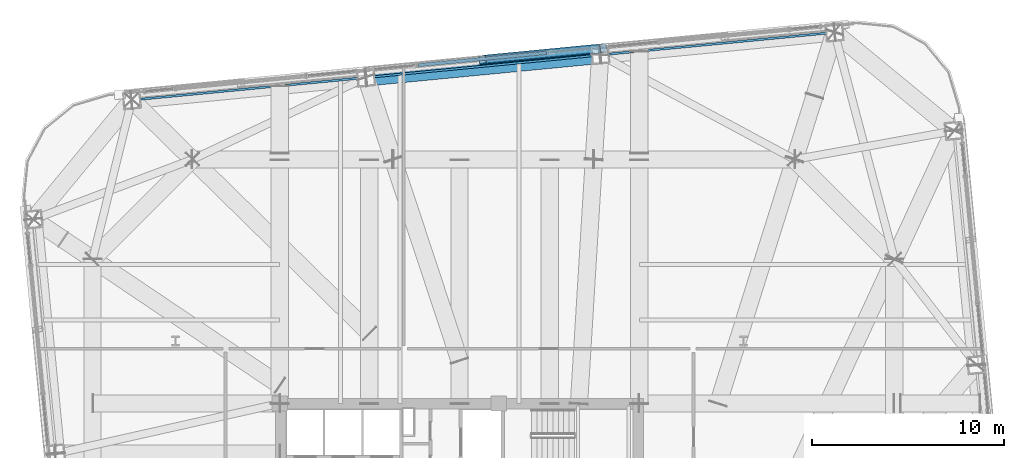
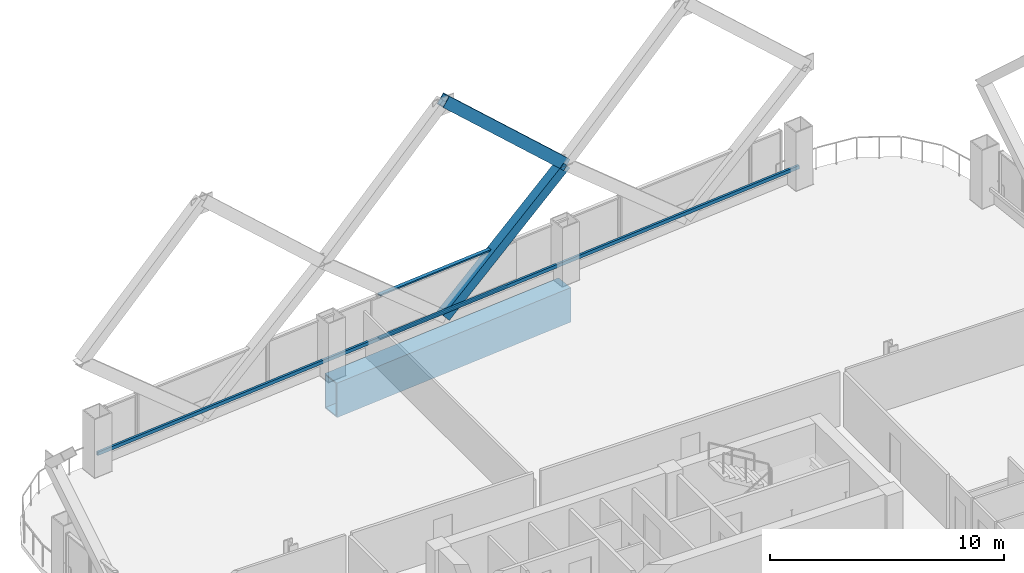
# One storey, part 27 of 42: 5 members, 1 beam, 1 element without a shape of its own.
"""IFC4 building model written with IfcOpenShell, lengths in metres."""

from ifc_helpers import new_model, si_unit, direction, frame, origin, origin_2d, place, context, subcontext, project, spatial, hollow_rectangle, extrude, material, layer, layer_set, material_profile, profile_set, type_object, element, aggregate, save


model = new_model("IFC4")

# Units and contexts
model_context = context("Model", 3, precision=1e-05, world=origin(), true_north=direction((0.0, 1.0)))
body_context = subcontext(model_context, "Body", "Model", "MODEL_VIEW")
ifc_project = project(units=[si_unit("LENGTHUNIT", "METRE"), si_unit("AREAUNIT", "SQUARE_METRE"), si_unit("VOLUMEUNIT", "CUBIC_METRE"), si_unit("PLANEANGLEUNIT", "RADIAN"), si_unit("MASSUNIT", "GRAM", prefix="KILO")], contexts=[model_context])

# Site, building, storey
site_placement = place(None, origin())
site = spatial("IfcSite", under=ifc_project, at=site_placement, CompositionType="ELEMENT")
building_placement = place(site_placement, origin())
building = spatial("IfcBuilding", under=site, at=building_placement, Name="Qhalaya Broadcast Tower", CompositionType="ELEMENT")
storey_placement = place(building_placement, frame((0.0, 0.0, 69.449951171875)))
storey = spatial("IfcBuildingStorey", under=building, at=storey_placement, Name="L19", CompositionType="ELEMENT", Elevation=69.449951171875)

# Beam
ifc_material_1 = material(Name="Structural Steel ASTM A572 Grade 50", Category="steel")
ifc_material_profile_1 = material_profile(ifc_material_1, hollow_rectangle(XDim=0.89990234375, YDim=1.800048828125, WallThickness=0.06005859375, at=origin_2d()), Name="BOX 900x1800x60")
ifc_profile_set_1 = profile_set([ifc_material_profile_1], Name="Structural Steel ASTM A572 Grade 50")
beam_type = type_object("IfcBeamType", Name="Block Cantilever Transfer Box Girder TG1", PredefinedType="USERDEFINED", material=ifc_profile_set_1)
beam_placement = place(storey_placement, frame((7.335205078125, 28.116943359375, -1.119873046875), z_axis=(-0.99539563662, -0.095851586307, 0.0), x_axis=(0.095851586307, -0.99539563662, 0.0)))
element("IfcBeam", 1, at=beam_placement, inside=storey, type_object=beam_type, Name="L19 TG1 L19-SPR-10", ObjectType="GIRDER", PredefinedType="USERDEFINED", context=body_context, shape_type="SweptSolid", body=[
    extrude(hollow_rectangle(XDim=0.89990234375, YDim=1.800048828125, WallThickness=0.06005859375, at=origin_2d()), origin(), (0.0, 0.0, 1.0), 12.2666015625),
])

# Members
ifc_material_profile_2 = material_profile(ifc_material_1, hollow_rectangle(XDim=0.419921875, YDim=0.550048828125, WallThickness=0.028076171875, at=origin_2d()), Name="BOX 420x550x28")
ifc_profile_set_2 = profile_set([ifc_material_profile_2], Name="Structural Steel ASTM A572 Grade 50")
member_type_1 = type_object("IfcMemberType", Name="Exoskeleton Diamond Diagonal Mid-Low EX2", PredefinedType="BRACE", material=ifc_profile_set_2)
member_1_placement = place(storey_placement, frame((1.197509765625, 27.867431640625, 0.360107421875), z_axis=(0.758635580976, 0.073066636585, 0.647405067864), x_axis=(-0.157193441444, 0.984862499798, 0.073048466507)))
element("IfcMember", 2, at=member_1_placement, inside=storey, type_object=member_type_1, Name="B2 Exoskeleton Diamond Brace N2-D1", PredefinedType="BRACE", context=body_context, shape_type="SweptSolid", body=[
    extrude(hollow_rectangle(XDim=0.419921875, YDim=0.550048828125, WallThickness=0.028076171875, at=origin_2d()), origin(), (0.0, 0.0, 1.0), 8.309814453125),
])
member_2_placement = place(storey_placement, frame((7.501708984375, 28.474609375, 5.739990234375), z_axis=(-0.730618100613, -0.070368182799, 0.6791505797), x_axis=(0.160222099068, -0.984570800026, 0.070350683768)))
element("IfcMember", 3, at=member_2_placement, inside=storey, type_object=member_type_1, Name="B2 Exoskeleton Diamond Brace N2-D3", PredefinedType="BRACE", context=body_context, shape_type="SweptSolid", body=[
    extrude(hollow_rectangle(XDim=0.419921875, YDim=0.550048828125, WallThickness=0.028076171875, at=origin_2d()), origin(), (0.0, 0.0, 1.0), 8.628662109375),
])
ifc_material_2 = material(Name="Fired Architectural Terracotta", Category="masonry")
ifc_material_profile_3 = material_profile(ifc_material_2, hollow_rectangle(XDim=0.110107421875, YDim=0.179931640625, WallThickness=0.01806640625, at=origin_2d()), Name="TB-BAG 110x180x18")
ifc_profile_set_3 = profile_set([ifc_material_profile_3], Name="Fired Architectural Terracotta")
member_type_2 = type_object("IfcMemberType", Name="Fired Terracotta Facade Baguette Member TB1", PredefinedType="USERDEFINED", material=ifc_profile_set_3)
member_3_placement = place(storey_placement, frame((19.54541015625, 29.29248046875, 0.84912109375), z_axis=(-0.995396269574, -0.095845013007, 0.0), x_axis=(0.095845013007, -0.995396269574, 0.0)))
element("IfcMember", 4, at=member_3_placement, inside=storey, type_object=member_type_2, Name="L19 Terracotta Baguette Feature Rail N", ObjectType="BAGUETTE", PredefinedType="USERDEFINED", context=body_context, shape_type="SweptSolid", body=[
    extrude(hollow_rectangle(XDim=0.110107421875, YDim=0.179931640625, WallThickness=0.01806640625, at=origin_2d()), origin(), (0.0, 0.0, 1.0), 36.800048828125),
])

# Curtain wall, members
ifc_layer = layer(ifc_material_2, 0.219970703125, Name="Fired Architectural Terracotta")
ifc_layer_set = layer_set([ifc_layer], Name="Fired Architectural Terracotta")
curtain_wall_type = type_object("IfcCurtainWallType", Name="Block-Cap Unitised Terracotta Spandrel Wall CW-07", PredefinedType="NOTDEFINED", material=ifc_layer_set)
curtain_wall_placement = place(storey_placement, origin())
curtain_wall = element("IfcCurtainWall", 5, at=curtain_wall_placement, inside=storey, type_object=curtain_wall_type, Name="L19 Unitised Curtain Wall L19-CW-N4", PredefinedType="NOTDEFINED")
ifc_material_3 = material(Name="Anodised Aluminium 6063-T6", Category="aluminium")
ifc_material_profile_4 = material_profile(ifc_material_3, hollow_rectangle(XDim=0.074951171875, YDim=0.179931640625, WallThickness=0.00390625, at=origin_2d()), Name="ALU-TRN 75x180x4")
ifc_profile_set_4 = profile_set([ifc_material_profile_4], Name="Anodised Aluminium 6063-T6")
member_type_3 = type_object("IfcMemberType", Name="Unitised Curtain-Wall Transom T01", PredefinedType="USERDEFINED", material=ifc_profile_set_4)
member_4_placement = place(storey_placement, frame((4.525390625, 28.22802734375, 0.517578125), z_axis=(-0.995396257492, -0.095845138486, 0.0), x_axis=(0.0, 0.0, 1.0)))
member_4 = element("IfcMember", 6, at=member_4_placement, type_object=member_type_3, Name="CW-07 transom 1.1", ObjectType="TRANSOM", PredefinedType="USERDEFINED", context=body_context, shape_type="SweptSolid", body=[
    extrude(hollow_rectangle(XDim=0.074951171875, YDim=0.179931640625, WallThickness=0.00390625, at=origin_2d()), origin(), (0.0, 0.0, 1.0), 6.694091796875),
])
member_5_placement = place(storey_placement, frame((4.525390625, 28.22802734375, 2.79248046875), z_axis=(-0.995396257492, -0.095845138486, 0.0), x_axis=(0.0, 0.0, 1.0)))
member_5 = element("IfcMember", 7, at=member_5_placement, type_object=member_type_3, Name="CW-07 transom 1.2", ObjectType="TRANSOM", PredefinedType="USERDEFINED", context=body_context, shape_type="SweptSolid", body=[
    extrude(hollow_rectangle(XDim=0.074951171875, YDim=0.179931640625, WallThickness=0.00390625, at=origin_2d()), origin(), (0.0, 0.0, 1.0), 6.694091796875),
])
aggregate(curtain_wall, [member_4, member_5])

save(model, "model.ifc")
